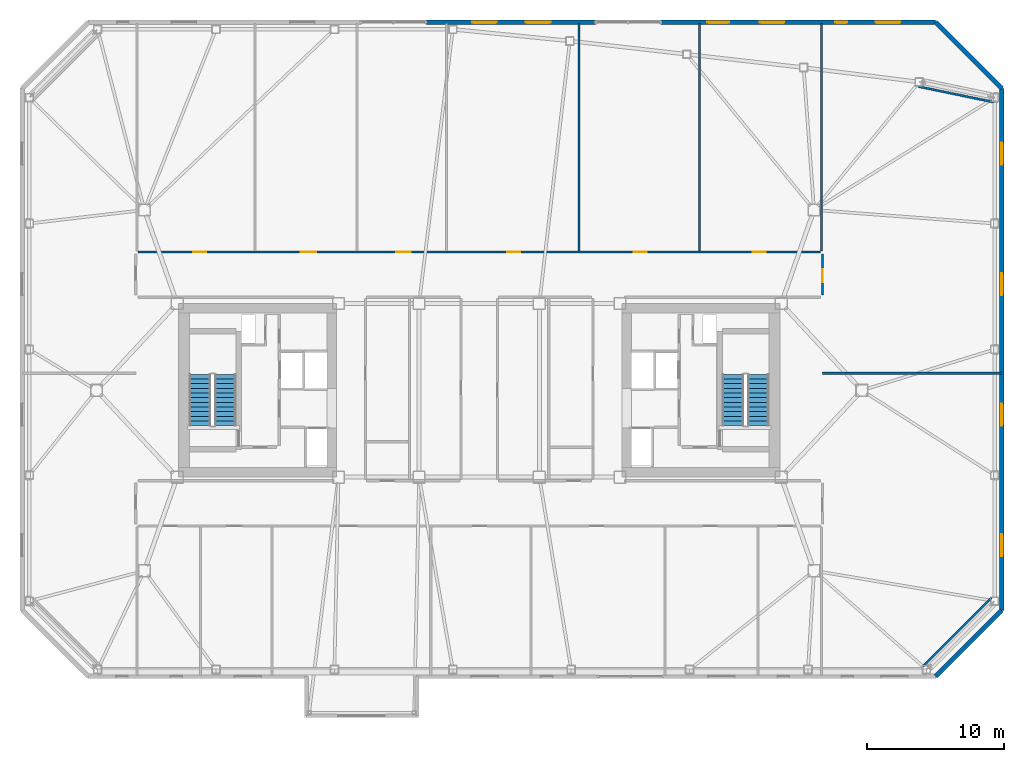
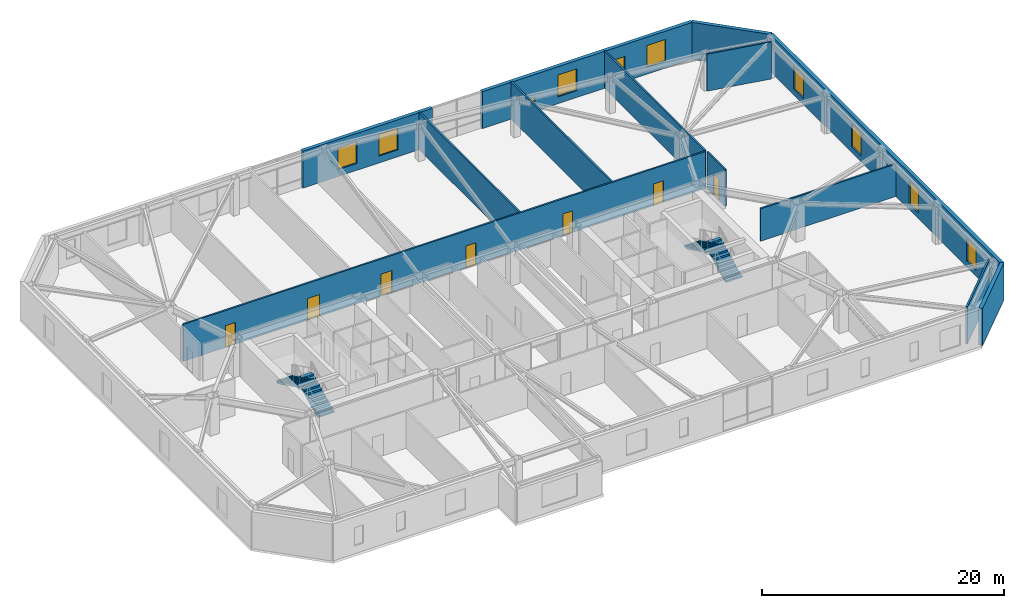
# One storey, part 12 of 16: 13 walls, 10 windows, 7 doors, 4 stair flights, 17 openings, 2 elements without a shape of their own.
"""IFC4 building model written with IfcOpenShell, lengths in metres."""

from ifc_helpers import new_model, si_unit, direction, frame, frame_2d, origin, place, context, subcontext, project, spatial, polyline, rectangle, outline, extrude, material, layer, layer_set, type_object, element, fill, aggregate, save


model = new_model("IFC4")

# Units and contexts
model_context = context("Model", 3, precision=1e-05, world=origin(), true_north=direction((0.0, 1.0)))
body_context = subcontext(model_context, "Body", "Model", "MODEL_VIEW")
ifc_project = project(units=[si_unit("LENGTHUNIT", "METRE"), si_unit("AREAUNIT", "SQUARE_METRE"), si_unit("VOLUMEUNIT", "CUBIC_METRE"), si_unit("PLANEANGLEUNIT", "RADIAN"), si_unit("MASSUNIT", "GRAM", prefix="KILO")], contexts=[model_context])

# Site, building, storey
site_placement = place(None, origin())
site = spatial("IfcSite", under=ifc_project, at=site_placement, CompositionType="ELEMENT")
building_placement = place(site_placement, origin())
building = spatial("IfcBuilding", under=site, at=building_placement, Name="Tavrogorsk Clinical Tower", CompositionType="ELEMENT")
storey_placement = place(building_placement, frame((0.0, 0.0, 164.199951171875)))
storey = spatial("IfcBuildingStorey", under=building, at=storey_placement, Name="L37", CompositionType="ELEMENT", Elevation=164.199951171875)

# Walls
ifc_material_1 = material(Name="Lightweight concrete blockwork B15", Category="masonry")
ifc_layer_1 = layer(ifc_material_1, 0.159912109375)
ifc_layer_set_1 = layer_set([ifc_layer_1], Name="Lightweight concrete blockwork B15")
wall_type_1 = type_object("IfcWallType", Name="PartitionWall_160", PredefinedType="PARTITIONING", material=ifc_layer_set_1)
wall_1_placement = place(storey_placement, frame((32.4794921875, -20.1796875, 0.0), z_axis=(0.0, 0.0, 1.0), x_axis=(0.707106781187, 0.707106781187, 0.0)))
element("IfcWall", 1, at=wall_1_placement, inside=storey, type_object=wall_type_1, Name="L37 Corner Exoskeleton Brace Furring Wall 1", PredefinedType="PARTITIONING", context=body_context, shape_type="SweptSolid", body=[
    extrude(rectangle(XDim=7.071044921875, YDim=0.159912109375, at=frame_2d((3.53564453125, 0.0))), origin(), (0.0, 0.0, 1.0), 3.739990234375),
])
wall_2_placement = place(storey_placement, frame((37.65087890625, 21.0869140625, 0.0), z_axis=(0.0, 0.0, 1.0), x_axis=(-0.979184618318, 0.202971631636, 0.0)))
element("IfcWall", 2, at=wall_2_placement, inside=storey, type_object=wall_type_1, Name="L37 Corner Exoskeleton Brace Furring Wall 2", PredefinedType="PARTITIONING", context=body_context, shape_type="SweptSolid", body=[
    extrude(rectangle(XDim=5.64599609375, YDim=0.159912109375, at=frame_2d((2.822998046875, 0.0))), origin(), (0.0, 0.0, 1.0), 3.739990234375),
])

# Wall, openings, doors
wall_3_placement = place(storey_placement, frame((-24.965087890625, 10.1298828125, 0.0), z_axis=(0.0, 0.0, 1.0), x_axis=(1.0, 0.0, 0.0)))
wall_3 = element("IfcWall", 3, at=wall_3_placement, inside=storey, type_object=wall_type_1, Name="L37 Corridor Partition 05", PredefinedType="PARTITIONING", context=body_context, shape_type="SweptSolid", body=[
    extrude(rectangle(XDim=49.93017578125, YDim=0.159912109375, at=frame_2d((24.965087890625, 0.0))), origin(), (0.0, 0.0, 1.0), 3.739990234375),
])
opening_1_placement = place(wall_3_placement, frame((4.044189453125, 0.0, 0.0)))
opening_1 = element("IfcOpeningElement", 4, at=opening_1_placement, cuts=wall_3, Name="Opening ID-02", PredefinedType="OPENING", context=body_context, shape_type="SweptSolid", body=[
    extrude(rectangle(XDim=0.949951171875, YDim=2.199951171875, at=frame_2d((0.47509765625, 1.10009765625))), frame((0.0, 0.08984375, 0.0), z_axis=(0.0, -1.0, 0.0), x_axis=(1.0, 0.0, 0.0)), (0.0, 0.0, 1.0), 0.179931640625),
])
opening_2_placement = place(wall_3_placement, frame((11.89990234375, 0.0, 0.0)))
opening_2 = element("IfcOpeningElement", 5, at=opening_2_placement, cuts=wall_3, Name="Opening ID-06", PredefinedType="OPENING", context=body_context, shape_type="SweptSolid", body=[
    extrude(rectangle(XDim=1.14990234375, YDim=2.199951171875, at=frame_2d((0.574951171875, 1.10009765625))), frame((0.0, 0.08984375, 0.0), z_axis=(0.0, -1.0, 0.0), x_axis=(1.0, 0.0, 0.0)), (0.0, 0.0, 1.0), 0.179931640625),
])
opening_3_placement = place(wall_3_placement, frame((18.89990234375, 0.0, 0.0)))
opening_3 = element("IfcOpeningElement", 6, at=opening_3_placement, cuts=wall_3, Name="Opening ID-04", PredefinedType="OPENING", context=body_context, shape_type="SweptSolid", body=[
    extrude(rectangle(XDim=1.050048828125, YDim=2.199951171875, at=frame_2d((0.52490234375, 1.10009765625))), frame((0.0, 0.08984375, 0.0), z_axis=(0.0, -1.0, 0.0), x_axis=(1.0, 0.0, 0.0)), (0.0, 0.0, 1.0), 0.179931640625),
])
opening_4_placement = place(wall_3_placement, frame((27.030029296875, 0.0, 0.0)))
opening_4 = element("IfcOpeningElement", 7, at=opening_4_placement, cuts=wall_3, Name="Opening ID-02", PredefinedType="OPENING", context=body_context, shape_type="SweptSolid", body=[
    extrude(rectangle(XDim=0.949951171875, YDim=2.199951171875, at=frame_2d((0.47509765625, 1.10009765625))), frame((0.0, 0.08984375, 0.0), z_axis=(0.0, -1.0, 0.0), x_axis=(1.0, 0.0, 0.0)), (0.0, 0.0, 1.0), 0.179931640625),
])
opening_5_placement = place(wall_3_placement, frame((36.2900390625, 0.0, 0.0)))
opening_5 = element("IfcOpeningElement", 8, at=opening_5_placement, cuts=wall_3, Name="Opening ID-02", PredefinedType="OPENING", context=body_context, shape_type="SweptSolid", body=[
    extrude(rectangle(XDim=0.949951171875, YDim=2.199951171875, at=frame_2d((0.47509765625, 1.10009765625))), frame((0.0, 0.08984375, 0.0), z_axis=(0.0, -1.0, 0.0), x_axis=(1.0, 0.0, 0.0)), (0.0, 0.0, 1.0), 0.179931640625),
])
opening_6_placement = place(wall_3_placement, frame((44.9658203125, 0.0, 0.0)))
opening_6 = element("IfcOpeningElement", 9, at=opening_6_placement, cuts=wall_3, Name="Opening ID-02", PredefinedType="OPENING", context=body_context, shape_type="SweptSolid", body=[
    extrude(rectangle(XDim=0.949951171875, YDim=2.199951171875, at=frame_2d((0.47509765625, 1.10009765625))), frame((0.0, 0.08984375, 0.0), z_axis=(0.0, -1.0, 0.0), x_axis=(1.0, 0.0, 0.0)), (0.0, 0.0, 1.0), 0.179931640625),
])
ifc_material_2 = material(Name="Antibacterial HPL consultation door on aluminium frame", Category="aluminium")
door_type_1 = type_object("IfcDoorType", Name="ConsultDoor_ID04_1050", OperationType="NOTDEFINED", PredefinedType="DOOR", material=ifc_material_2)
door_1_placement = place(opening_3_placement, origin())
door_1 = element("IfcDoor", 10, at=door_1_placement, inside=storey, type_object=door_type_1, Name="L37 North Dialysis Water Treatment Utility 02B Door", OperationType="SINGLE_SWING_LEFT", OverallHeight=2.199951171875, OverallWidth=1.050048828125, PredefinedType="DOOR", context=body_context, shape_type="SweptSolid", body=[
    extrude(rectangle(XDim=1.050048828125, YDim=2.199951171875, at=frame_2d((0.52490234375, 1.10009765625))), frame((0.0, 0.02490234375, 0.0), z_axis=(0.0, -1.0, 0.0), x_axis=(1.0, 0.0, 0.0)), (0.0, 0.0, 1.0), 0.050048828125),
])
fill(opening_3, door_1)
ifc_material_3 = material(Name="Laminated timber leaf on aluminium frame", Category="wood")
door_type_2 = type_object("IfcDoorType", Name="InteriorDoor_ID02_950", OperationType="NOTDEFINED", PredefinedType="DOOR", material=ifc_material_3)
door_2_placement = place(opening_1_placement, origin())
door_2 = element("IfcDoor", 11, at=door_2_placement, inside=storey, type_object=door_type_2, Name="L37 North Dialysis Water Treatment Utility 01 Door", OperationType="SINGLE_SWING_LEFT", OverallHeight=2.199951171875, OverallWidth=0.949951171875, PredefinedType="DOOR", context=body_context, shape_type="SweptSolid", body=[
    extrude(rectangle(XDim=0.949951171875, YDim=2.199951171875, at=frame_2d((0.47509765625, 1.10009765625))), frame((0.0, 0.02490234375, 0.0), z_axis=(0.0, -1.0, 0.0), x_axis=(1.0, 0.0, 0.0)), (0.0, 0.0, 1.0), 0.050048828125),
])
fill(opening_1, door_2)
door_3_placement = place(opening_4_placement, origin())
door_3 = element("IfcDoor", 12, at=door_3_placement, inside=storey, type_object=door_type_2, Name="L37 North Renal Patient Quiet Lounge 03A Door", OperationType="SINGLE_SWING_RIGHT", OverallHeight=2.199951171875, OverallWidth=0.949951171875, PredefinedType="DOOR", context=body_context, shape_type="SweptSolid", body=[
    extrude(rectangle(XDim=0.949951171875, YDim=2.199951171875, at=frame_2d((0.47509765625, 1.10009765625))), frame((0.0, 0.02490234375, 0.0), z_axis=(0.0, -1.0, 0.0), x_axis=(1.0, 0.0, 0.0)), (0.0, 0.0, 1.0), 0.050048828125),
])
fill(opening_4, door_3)
door_4_placement = place(opening_5_placement, origin())
door_4 = element("IfcDoor", 13, at=door_4_placement, inside=storey, type_object=door_type_2, Name="L37 North Outpatient Renal Dialysis Station 03B Door", OperationType="SINGLE_SWING_LEFT", OverallHeight=2.199951171875, OverallWidth=0.949951171875, PredefinedType="DOOR", context=body_context, shape_type="SweptSolid", body=[
    extrude(rectangle(XDim=0.949951171875, YDim=2.199951171875, at=frame_2d((0.47509765625, 1.10009765625))), frame((0.0, 0.02490234375, 0.0), z_axis=(0.0, -1.0, 0.0), x_axis=(1.0, 0.0, 0.0)), (0.0, 0.0, 1.0), 0.050048828125),
])
fill(opening_5, door_4)
door_5_placement = place(opening_6_placement, origin())
door_5 = element("IfcDoor", 14, at=door_5_placement, inside=storey, type_object=door_type_2, Name="L37 North Nephrology Consultation Office 04 Door", OperationType="SINGLE_SWING_RIGHT", OverallHeight=2.199951171875, OverallWidth=0.949951171875, PredefinedType="DOOR", context=body_context, shape_type="SweptSolid", body=[
    extrude(rectangle(XDim=0.949951171875, YDim=2.199951171875, at=frame_2d((0.47509765625, 1.10009765625))), frame((0.0, 0.02490234375, 0.0), z_axis=(0.0, -1.0, 0.0), x_axis=(1.0, 0.0, 0.0)), (0.0, 0.0, 1.0), 0.050048828125),
])
fill(opening_6, door_5)
ifc_material_4 = material(Name="Antibacterial HPL procedure door on aluminium frame", Category="aluminium")
door_type_3 = type_object("IfcDoorType", Name="LabDoor_ID06_1150", OperationType="NOTDEFINED", PredefinedType="DOOR", material=ifc_material_4)
door_6_placement = place(opening_2_placement, origin())
door_6 = element("IfcDoor", 15, at=door_6_placement, inside=storey, type_object=door_type_3, Name="L37 North Outpatient Renal Dialysis Station 02A Door", OperationType="SINGLE_SWING_RIGHT", OverallHeight=2.199951171875, OverallWidth=1.14990234375, PredefinedType="DOOR", context=body_context, shape_type="SweptSolid", body=[
    extrude(rectangle(XDim=1.14990234375, YDim=2.199951171875, at=frame_2d((0.574951171875, 1.10009765625))), frame((0.0, 0.02490234375, 0.0), z_axis=(0.0, -1.0, 0.0), x_axis=(1.0, 0.0, 0.0)), (0.0, 0.0, 1.0), 0.050048828125),
])
fill(opening_2, door_6)

# Wall, opening, door
wall_4_placement = place(storey_placement, frame((25.1298828125, 9.965087890625, 0.0), z_axis=(0.0, 0.0, 1.0), x_axis=(0.0, -1.0, 0.0)))
wall_4 = element("IfcWall", 16, at=wall_4_placement, inside=storey, type_object=wall_type_1, Name="L37 Corridor Partition 06", PredefinedType="PARTITIONING", context=body_context, shape_type="SweptSolid", body=[
    extrude(rectangle(XDim=2.97998046875, YDim=0.159912109375, at=frame_2d((1.489990234375, 0.0))), origin(), (0.0, 0.0, 1.0), 3.739990234375),
])
opening_7_placement = place(wall_4_placement, frame((1.10009765625, 0.0, 0.0)))
opening_7 = element("IfcOpeningElement", 17, at=opening_7_placement, cuts=wall_4, Name="Opening ID-02", PredefinedType="OPENING", context=body_context, shape_type="SweptSolid", body=[
    extrude(rectangle(XDim=0.949951171875, YDim=2.199951171875, at=frame_2d((0.47509765625, 1.10009765625))), frame((0.0, 0.08984375, 0.0), z_axis=(0.0, -1.0, 0.0), x_axis=(1.0, 0.0, 0.0)), (0.0, 0.0, 1.0), 0.179931640625),
])
door_7_placement = place(opening_7_placement, origin())
door_7 = element("IfcDoor", 18, at=door_7_placement, inside=storey, type_object=door_type_2, Name="L37 E Multidisciplinary Seminar Suite 2 Door", OperationType="SINGLE_SWING_LEFT", OverallHeight=2.199951171875, OverallWidth=0.949951171875, PredefinedType="DOOR", context=body_context, shape_type="SweptSolid", body=[
    extrude(rectangle(XDim=0.949951171875, YDim=2.199951171875, at=frame_2d((0.47509765625, 1.10009765625))), frame((0.0, 0.02490234375, 0.0), z_axis=(0.0, -1.0, 0.0), x_axis=(1.0, 0.0, 0.0)), (0.0, 0.0, 1.0), 0.050048828125),
])
fill(opening_7, door_7)

# Walls
for number, where, z_axis, x_axis, name in (
    (19, (25.050048828125, 10.215087890625, 0.0), (0.0, 0.0, 1.0), (0.0, 1.0, 0.0), "L37 NE Wing Closure Partition"),
    (20, (16.1201171875, 10.215087890625, 0.0), (0.0, 0.0, 1.0), (0.0, 1.0, 0.0), "L37 North Room Partition 3"),
    (21, (7.31005859375, 10.215087890625, 0.0), (0.0, 0.0, 1.0), (0.0, 1.0, 0.0), "L37 North Sub-Partition 3"),
):
    element("IfcWall", number, at=place(storey_placement, frame(where, z_axis=z_axis, x_axis=x_axis)), inside=storey, type_object=wall_type_1, Name=name, PredefinedType="PARTITIONING", context=body_context, shape_type="SweptSolid", body=[
        extrude(rectangle(XDim=16.64501953125, YDim=0.159912109375, at=frame_2d((8.322509765625, 0.0))), origin(), (0.0, 0.0, 1.0), 3.739990234375),
    ])
wall_5_placement = place(storey_placement, frame((25.1298828125, 1.25, 0.0), z_axis=(0.0, 0.0, 1.0), x_axis=(1.0, 0.0, 0.0)))
element("IfcWall", 22, at=wall_5_placement, inside=storey, type_object=wall_type_1, Name="L37 E Wing Divider 1", PredefinedType="PARTITIONING", context=body_context, shape_type="SweptSolid", body=[
    extrude(rectangle(XDim=13.080078125, YDim=0.159912109375, at=frame_2d((6.5400390625, 0.0))), origin(), (0.0, 0.0, 1.0), 3.28515625),
])

# Wall, openings, windows
ifc_material_5 = material(Name="Precast concrete B45 with limestone cladding", Category="masonry")
ifc_layer_2 = layer(ifc_material_5, 0.340087890625)
ifc_layer_set_2 = layer_set([ifc_layer_2], Name="Precast concrete B45 with limestone cladding")
wall_type_2 = type_object("IfcWallType", Name="PrecastLimestoneWall_340", PredefinedType="STANDARD", material=ifc_layer_set_2)
wall_6_placement = place(storey_placement, frame((33.39990234375, 26.929931640625, 0.0), z_axis=(0.0, 0.0, 1.0), x_axis=(-1.0, 0.0, 0.0)))
wall_6 = element("IfcWall", 23, at=wall_6_placement, inside=storey, type_object=wall_type_2, Name="L37 N Limestone Facade Wall 1", PredefinedType="STANDARD", context=body_context, shape_type="SweptSolid", body=[
    extrude(rectangle(XDim=20.08984375, YDim=0.340087890625, at=frame_2d((10.044921875, 0.0))), origin(), (0.0, 0.0, 1.0), 3.739990234375),
])
opening_8_placement = place(wall_6_placement, frame((15.10498046875, 0.0, 0.219970703125)))
opening_8 = element("IfcOpeningElement", 24, at=opening_8_placement, cuts=wall_6, Name="Opening WN-09", PredefinedType="OPENING", context=body_context, shape_type="SweptSolid", body=[
    extrude(rectangle(XDim=1.60009765625, YDim=1.199951171875, at=frame_2d((0.800048828125, 0.60009765625))), frame((0.0, 0.179931640625, 0.0), z_axis=(0.0, -1.0, 0.0), x_axis=(1.0, 0.0, 0.0)), (0.0, 0.0, 1.0), 0.360107421875),
])
opening_9_placement = place(wall_6_placement, frame((11.0712890625, 0.0, 0.699951171875)))
opening_9 = element("IfcOpeningElement", 25, at=opening_9_placement, cuts=wall_6, Name="Opening WN-04", PredefinedType="OPENING", context=body_context, shape_type="SweptSolid", body=[
    extrude(rectangle(XDim=1.800048828125, YDim=2.199951171875, at=frame_2d((0.89990234375, 1.10009765625))), frame((0.0, 0.179931640625, 0.0), z_axis=(0.0, -1.0, 0.0), x_axis=(1.0, 0.0, 0.0)), (0.0, 0.0, 1.0), 0.360107421875),
])
opening_10_placement = place(wall_6_placement, frame((6.479736328125, 0.0, 0.699951171875)))
opening_10 = element("IfcOpeningElement", 26, at=opening_10_placement, cuts=wall_6, Name="Opening WN-06", PredefinedType="OPENING", context=body_context, shape_type="SweptSolid", body=[
    extrude(rectangle(XDim=0.85009765625, YDim=1.85009765625, at=frame_2d((0.425048828125, 0.925048828125))), frame((0.0, 0.179931640625, 0.0), z_axis=(0.0, -1.0, 0.0), x_axis=(1.0, 0.0, 0.0)), (0.0, 0.0, 1.0), 0.360107421875),
])
opening_11_placement = place(wall_6_placement, frame((2.591064453125, 0.0, 0.699951171875)))
opening_11 = element("IfcOpeningElement", 27, at=opening_11_placement, cuts=wall_6, Name="Opening WN-04", PredefinedType="OPENING", context=body_context, shape_type="SweptSolid", body=[
    extrude(rectangle(XDim=1.800048828125, YDim=2.199951171875, at=frame_2d((0.89990234375, 1.10009765625))), frame((0.0, 0.179931640625, 0.0), z_axis=(0.0, -1.0, 0.0), x_axis=(1.0, 0.0, 0.0)), (0.0, 0.0, 1.0), 0.360107421875),
])
ifc_material_6 = material(Name="Thermally broken aluminium frame and triple IGU", Category="aluminium")
window_type_1 = type_object("IfcWindowType", Name="IsolationWin_1800x2200", PartitioningType="SINGLE_PANEL", PredefinedType="WINDOW", material=ifc_material_6)
window_1_placement = place(opening_9_placement, origin())
window_1 = element("IfcWindow", 28, at=window_1_placement, inside=storey, type_object=window_type_1, Name="L37 N Chicago Window 08", OverallHeight=2.199951171875, OverallWidth=1.800048828125, PartitioningType="SINGLE_PANEL", PredefinedType="WINDOW", context=body_context, shape_type="SweptSolid", body=[
    extrude(rectangle(XDim=1.800048828125, YDim=2.199951171875, at=frame_2d((0.89990234375, 1.10009765625))), frame((0.0, 0.030029296875, 0.0), z_axis=(0.0, -1.0, 0.0), x_axis=(1.0, 0.0, 0.0)), (0.0, 0.0, 1.0), 0.06005859375),
])
fill(opening_9, window_1)
window_2_placement = place(opening_11_placement, origin())
window_2 = element("IfcWindow", 29, at=window_2_placement, inside=storey, type_object=window_type_1, Name="L37 N Chicago Window 10", OverallHeight=2.199951171875, OverallWidth=1.800048828125, PartitioningType="SINGLE_PANEL", PredefinedType="WINDOW", context=body_context, shape_type="SweptSolid", body=[
    extrude(rectangle(XDim=1.800048828125, YDim=2.199951171875, at=frame_2d((0.89990234375, 1.10009765625))), frame((0.0, 0.030029296875, 0.0), z_axis=(0.0, -1.0, 0.0), x_axis=(1.0, 0.0, 0.0)), (0.0, 0.0, 1.0), 0.06005859375),
])
fill(opening_11, window_2)
ifc_material_7 = material(Name="Thermally broken aluminium frame and triple IGU", Category="aluminium")
window_type_2 = type_object("IfcWindowType", Name="LowHeadTransWin_1600x1200", PartitioningType="DOUBLE_PANEL_VERTICAL", PredefinedType="WINDOW", material=ifc_material_7)
window_3_placement = place(opening_8_placement, origin())
window_3 = element("IfcWindow", 30, at=window_3_placement, inside=storey, type_object=window_type_2, Name="L37 N Chicago Window 07", OverallHeight=1.199951171875, OverallWidth=1.60009765625, PartitioningType="SINGLE_PANEL", PredefinedType="WINDOW", context=body_context, shape_type="SweptSolid", body=[
    extrude(rectangle(XDim=1.60009765625, YDim=1.199951171875, at=frame_2d((0.800048828125, 0.60009765625))), frame((0.0, 0.030029296875, 0.0), z_axis=(0.0, -1.0, 0.0), x_axis=(1.0, 0.0, 0.0)), (0.0, 0.0, 1.0), 0.06005859375),
])
fill(opening_8, window_3)
ifc_material_8 = material(Name="Thermally broken aluminium frame and triple IGU", Category="aluminium")
window_type_3 = type_object("IfcWindowType", Name="MullionSubWin_850x1850", PartitioningType="SINGLE_PANEL", PredefinedType="WINDOW", material=ifc_material_8)
window_4_placement = place(opening_10_placement, origin())
window_4 = element("IfcWindow", 31, at=window_4_placement, inside=storey, type_object=window_type_3, Name="L37 N Mullion Split Window 09A", OverallHeight=1.85009765625, OverallWidth=0.85009765625, PartitioningType="SINGLE_PANEL", PredefinedType="WINDOW", context=body_context, shape_type="SweptSolid", body=[
    extrude(rectangle(XDim=0.85009765625, YDim=1.85009765625, at=frame_2d((0.425048828125, 0.925048828125))), frame((0.0, 0.030029296875, 0.0), z_axis=(0.0, -1.0, 0.0), x_axis=(1.0, 0.0, 0.0)), (0.0, 0.0, 1.0), 0.06005859375),
])
fill(opening_10, window_4)

wall_7_placement = place(storey_placement, frame((8.510009765625, 26.929931640625, 0.0), z_axis=(0.0, 0.0, 1.0), x_axis=(-1.0, 0.0, 0.0)))
wall_7 = element("IfcWall", 32, at=wall_7_placement, inside=storey, type_object=wall_type_2, Name="L37 N Limestone Facade Wall 2", PredefinedType="STANDARD", context=body_context, shape_type="SweptSolid", body=[
    extrude(rectangle(XDim=12.372802734375, YDim=0.340087890625, at=frame_2d((6.1865234375, 0.0))), origin(), (0.0, 0.0, 1.0), 3.739990234375),
])
opening_12_placement = place(wall_7_placement, frame((7.228759765625, 0.0, 0.699951171875)))
opening_12 = element("IfcOpeningElement", 33, at=opening_12_placement, cuts=wall_7, Name="Opening WN-04", PredefinedType="OPENING", context=body_context, shape_type="SweptSolid", body=[
    extrude(rectangle(XDim=1.800048828125, YDim=2.199951171875, at=frame_2d((0.89990234375, 1.10009765625))), frame((0.0, 0.179931640625, 0.0), z_axis=(0.0, -1.0, 0.0), x_axis=(1.0, 0.0, 0.0)), (0.0, 0.0, 1.0), 0.360107421875),
])
opening_13_placement = place(wall_7_placement, frame((3.28857421875, 0.0, 0.699951171875)))
opening_13 = element("IfcOpeningElement", 34, at=opening_13_placement, cuts=wall_7, Name="Opening WN-04", PredefinedType="OPENING", context=body_context, shape_type="SweptSolid", body=[
    extrude(rectangle(XDim=1.800048828125, YDim=2.199951171875, at=frame_2d((0.89990234375, 1.10009765625))), frame((0.0, 0.179931640625, 0.0), z_axis=(0.0, -1.0, 0.0), x_axis=(1.0, 0.0, 0.0)), (0.0, 0.0, 1.0), 0.360107421875),
])
window_5_placement = place(opening_12_placement, origin())
window_5 = element("IfcWindow", 35, at=window_5_placement, inside=storey, type_object=window_type_1, Name="L37 N Chicago Window 05", OverallHeight=2.199951171875, OverallWidth=1.800048828125, PartitioningType="SINGLE_PANEL", PredefinedType="WINDOW", context=body_context, shape_type="SweptSolid", body=[
    extrude(rectangle(XDim=1.800048828125, YDim=2.199951171875, at=frame_2d((0.89990234375, 1.10009765625))), frame((0.0, 0.030029296875, 0.0), z_axis=(0.0, -1.0, 0.0), x_axis=(1.0, 0.0, 0.0)), (0.0, 0.0, 1.0), 0.06005859375),
])
fill(opening_12, window_5)
window_6_placement = place(opening_13_placement, origin())
window_6 = element("IfcWindow", 36, at=window_6_placement, inside=storey, type_object=window_type_1, Name="L37 N Chicago Window 06", OverallHeight=2.199951171875, OverallWidth=1.800048828125, PartitioningType="SINGLE_PANEL", PredefinedType="WINDOW", context=body_context, shape_type="SweptSolid", body=[
    extrude(rectangle(XDim=1.800048828125, YDim=2.199951171875, at=frame_2d((0.89990234375, 1.10009765625))), frame((0.0, 0.030029296875, 0.0), z_axis=(0.0, -1.0, 0.0), x_axis=(1.0, 0.0, 0.0)), (0.0, 0.0, 1.0), 0.06005859375),
])
fill(opening_13, window_6)

wall_8_placement = place(storey_placement, frame((38.22998046875, -16.10009765625, 0.0), z_axis=(0.0, 0.0, 1.0), x_axis=(0.0, 1.0, 0.0)))
wall_8 = element("IfcWall", 37, at=wall_8_placement, inside=storey, type_object=wall_type_2, Name="L37 E Pleated Limestone Wing Wall", PredefinedType="STANDARD", context=body_context, shape_type="SweptSolid", body=[
    extrude(rectangle(XDim=38.2001953125, YDim=0.340087890625, at=frame_2d((19.10009765625, 0.0))), origin(), (0.0, 0.0, 1.0), 3.739990234375),
])
opening_14_placement = place(wall_8_placement, frame((3.97509765625, 0.0, 0.580078125)))
opening_14 = element("IfcOpeningElement", 38, at=opening_14_placement, cuts=wall_8, Name="Opening WN-07", PredefinedType="OPENING", context=body_context, shape_type="SweptSolid", body=[
    extrude(rectangle(XDim=1.60009765625, YDim=2.300048828125, at=frame_2d((0.800048828125, 1.14990234375))), frame((0.0, 0.179931640625, 0.0), z_axis=(0.0, -1.0, 0.0), x_axis=(1.0, 0.0, 0.0)), (0.0, 0.0, 1.0), 0.360107421875),
])
opening_15_placement = place(wall_8_placement, frame((13.52490234375, 0.0, 0.580078125)))
opening_15 = element("IfcOpeningElement", 39, at=opening_15_placement, cuts=wall_8, Name="Opening WN-07", PredefinedType="OPENING", context=body_context, shape_type="SweptSolid", body=[
    extrude(rectangle(XDim=1.60009765625, YDim=2.300048828125, at=frame_2d((0.800048828125, 1.14990234375))), frame((0.0, 0.179931640625, 0.0), z_axis=(0.0, -1.0, 0.0), x_axis=(1.0, 0.0, 0.0)), (0.0, 0.0, 1.0), 0.360107421875),
])
opening_16_placement = place(wall_8_placement, frame((23.074951171875, 0.0, 0.580078125)))
opening_16 = element("IfcOpeningElement", 40, at=opening_16_placement, cuts=wall_8, Name="Opening WN-07", PredefinedType="OPENING", context=body_context, shape_type="SweptSolid", body=[
    extrude(rectangle(XDim=1.60009765625, YDim=2.300048828125, at=frame_2d((0.800048828125, 1.14990234375))), frame((0.0, 0.179931640625, 0.0), z_axis=(0.0, -1.0, 0.0), x_axis=(1.0, 0.0, 0.0)), (0.0, 0.0, 1.0), 0.360107421875),
])
opening_17_placement = place(wall_8_placement, frame((32.625, 0.0, 0.580078125)))
opening_17 = element("IfcOpeningElement", 41, at=opening_17_placement, cuts=wall_8, Name="Opening WN-07", PredefinedType="OPENING", context=body_context, shape_type="SweptSolid", body=[
    extrude(rectangle(XDim=1.60009765625, YDim=2.300048828125, at=frame_2d((0.800048828125, 1.14990234375))), frame((0.0, 0.179931640625, 0.0), z_axis=(0.0, -1.0, 0.0), x_axis=(1.0, 0.0, 0.0)), (0.0, 0.0, 1.0), 0.360107421875),
])
ifc_material_9 = material(Name="Thermally broken aluminium frame and triple IGU", Category="aluminium")
window_type_4 = type_object("IfcWindowType", Name="PleatSlotWin_1600x2300", PartitioningType="SINGLE_PANEL", PredefinedType="WINDOW", material=ifc_material_9)
window_7_placement = place(opening_14_placement, origin())
window_7 = element("IfcWindow", 42, at=window_7_placement, inside=storey, type_object=window_type_4, Name="L37 E Pleat Slot Window 1", OverallHeight=2.300048828125, OverallWidth=1.60009765625, PartitioningType="SINGLE_PANEL", PredefinedType="WINDOW", context=body_context, shape_type="SweptSolid", body=[
    extrude(rectangle(XDim=1.60009765625, YDim=2.300048828125, at=frame_2d((0.800048828125, 1.14990234375))), frame((0.0, 0.030029296875, 0.0), z_axis=(0.0, -1.0, 0.0), x_axis=(1.0, 0.0, 0.0)), (0.0, 0.0, 1.0), 0.06005859375),
])
fill(opening_14, window_7)
window_8_placement = place(opening_15_placement, origin())
window_8 = element("IfcWindow", 43, at=window_8_placement, inside=storey, type_object=window_type_4, Name="L37 E Pleat Slot Window 2", OverallHeight=2.300048828125, OverallWidth=1.60009765625, PartitioningType="SINGLE_PANEL", PredefinedType="WINDOW", context=body_context, shape_type="SweptSolid", body=[
    extrude(rectangle(XDim=1.60009765625, YDim=2.300048828125, at=frame_2d((0.800048828125, 1.14990234375))), frame((0.0, 0.030029296875, 0.0), z_axis=(0.0, -1.0, 0.0), x_axis=(1.0, 0.0, 0.0)), (0.0, 0.0, 1.0), 0.06005859375),
])
fill(opening_15, window_8)
window_9_placement = place(opening_16_placement, origin())
window_9 = element("IfcWindow", 44, at=window_9_placement, inside=storey, type_object=window_type_4, Name="L37 E Pleat Slot Window 3", OverallHeight=2.300048828125, OverallWidth=1.60009765625, PartitioningType="SINGLE_PANEL", PredefinedType="WINDOW", context=body_context, shape_type="SweptSolid", body=[
    extrude(rectangle(XDim=1.60009765625, YDim=2.300048828125, at=frame_2d((0.800048828125, 1.14990234375))), frame((0.0, 0.030029296875, 0.0), z_axis=(0.0, -1.0, 0.0), x_axis=(1.0, 0.0, 0.0)), (0.0, 0.0, 1.0), 0.06005859375),
])
fill(opening_16, window_9)
window_10_placement = place(opening_17_placement, origin())
window_10 = element("IfcWindow", 45, at=window_10_placement, inside=storey, type_object=window_type_4, Name="L37 E Pleat Slot Window 4", OverallHeight=2.300048828125, OverallWidth=1.60009765625, PartitioningType="SINGLE_PANEL", PredefinedType="WINDOW", context=body_context, shape_type="SweptSolid", body=[
    extrude(rectangle(XDim=1.60009765625, YDim=2.300048828125, at=frame_2d((0.800048828125, 1.14990234375))), frame((0.0, 0.030029296875, 0.0), z_axis=(0.0, -1.0, 0.0), x_axis=(1.0, 0.0, 0.0)), (0.0, 0.0, 1.0), 0.06005859375),
])
fill(opening_17, window_10)

# Walls
for number, where, z_axis, x_axis, name in (
    (46, (33.39990234375, -20.929931640625, 0.0), (0.0, 0.0, 1.0), (0.707124652085, 0.707088909836, 0.0), "L37 Chamfered Corner Wall 1"),
    (47, (38.22998046875, 22.10009765625, 0.0), (0.0, 0.0, 1.0), (-0.707124652085, 0.707088909836, 0.0), "L37 Chamfered Corner Wall 2"),
):
    element("IfcWall", number, at=place(storey_placement, frame(where, z_axis=z_axis, x_axis=x_axis)), inside=storey, type_object=wall_type_2, Name=name, PredefinedType="STANDARD", context=body_context, shape_type="SweptSolid", body=[
        extrude(rectangle(XDim=6.83056640625, YDim=0.340087890625, at=frame_2d((3.415283203125, 0.0))), origin(), (0.0, 0.0, 1.0), 3.739990234375),
    ])

# Stair, stair flights
ifc_material_10 = material(Name="Concrete B60", Category="concrete")
stair_type = type_object("IfcStairType", Name="CoreStairAssembly", PredefinedType="HALF_TURN_STAIR", material=ifc_material_10)
stair_1_placement = place(storey_placement, origin())
stair_1 = element("IfcStair", 48, at=stair_1_placement, inside=storey, type_object=stair_type, Name="L37 ST-W", PredefinedType="HALF_TURN_STAIR")
ifc_material_11 = material(Name="Concrete B60", Category="concrete")
stair_flight_type = type_object("IfcStairFlightType", Name="CoreStairFlight", PredefinedType="STRAIGHT", material=ifc_material_11)
stair_flight_1_placement = place(storey_placement, frame((-18.574951171875, -2.574951171875, 0.0), z_axis=(0.0, 0.0, 1.0), x_axis=(0.0, 1.0, 0.0)))
stair_flight_1 = element("IfcStairFlight", 49, at=stair_flight_1_placement, type_object=stair_flight_type, Name="ST-W flight 1", NumberOfRisers=12, NumberOfTreads=11, PredefinedType="STRAIGHT", RiserHeight=0.166666667, TreadLength=0.34, context=body_context, shape_type="SweptSolid", body=[
    extrude(outline(polyline([(0.0, 0.0), (0.0, 0.166748046875), (0.340087890625, 0.166748046875), (0.340087890625, 0.333251953125), (0.679931640625, 0.333251953125), (0.679931640625, 0.5), (1.02001953125, 0.5), (1.02001953125, 0.666748046875), (1.360107421875, 0.666748046875), (1.360107421875, 0.833251953125), (1.699951171875, 0.833251953125), (1.699951171875, 1.0), (2.0400390625, 1.0), (2.0400390625, 1.166748046875), (2.3798828125, 1.166748046875), (2.3798828125, 1.333251953125), (2.719970703125, 1.333251953125), (2.719970703125, 1.5), (3.06005859375, 1.5), (3.06005859375, 1.666748046875), (3.39990234375, 1.666748046875), (3.39990234375, 1.833251953125), (3.739990234375, 1.833251953125), (3.739990234375, 2.0), (3.739990234375, 1.66650390625), (0.340576171875, 0.0), (0.0, 0.0)])), frame((0.0, 0.77490234375, 0.0), z_axis=(0.0, -1.0, 0.0), x_axis=(1.0, 0.0, 0.0)), (0.0, 0.0, 1.0), 1.550048828125),
])
stair_flight_2_placement = place(storey_placement, frame((-20.425048828125, 1.1650390625, 2.0), z_axis=(0.0, 0.0, 1.0), x_axis=(0.0, -1.0, 0.0)))
stair_flight_2 = element("IfcStairFlight", 50, at=stair_flight_2_placement, type_object=stair_flight_type, Name="ST-W flight 2", NumberOfRisers=12, NumberOfTreads=11, PredefinedType="STRAIGHT", RiserHeight=0.166666667, TreadLength=0.34, context=body_context, shape_type="SweptSolid", body=[
    extrude(outline(polyline([(0.0, 0.0), (0.0, 0.166748046875), (0.340087890625, 0.166748046875), (0.340087890625, 0.333251953125), (0.679931640625, 0.333251953125), (0.679931640625, 0.5), (1.02001953125, 0.5), (1.02001953125, 0.666748046875), (1.360107421875, 0.666748046875), (1.360107421875, 0.833251953125), (1.699951171875, 0.833251953125), (1.699951171875, 1.0), (2.0400390625, 1.0), (2.0400390625, 1.166748046875), (2.3798828125, 1.166748046875), (2.3798828125, 1.333251953125), (2.719970703125, 1.333251953125), (2.719970703125, 1.5), (3.06005859375, 1.5), (3.06005859375, 1.666748046875), (3.39990234375, 1.666748046875), (3.39990234375, 1.833251953125), (3.739990234375, 1.833251953125), (3.739990234375, 2.0), (3.739990234375, 1.66650390625), (0.340576171875, 0.0), (0.0, 0.0)])), frame((0.0, 0.77490234375, 0.0), z_axis=(0.0, -1.0, 0.0), x_axis=(1.0, 0.0, 0.0)), (0.0, 0.0, 1.0), 1.550048828125),
])
aggregate(stair_1, [stair_flight_1, stair_flight_2])

stair_2_placement = place(storey_placement, origin())
stair_2 = element("IfcStair", 51, at=stair_2_placement, inside=storey, type_object=stair_type, Name="L37 ST-E", PredefinedType="HALF_TURN_STAIR")
stair_flight_3_placement = place(storey_placement, frame((20.425048828125, -2.574951171875, 0.0), z_axis=(0.0, 0.0, 1.0), x_axis=(0.0, 1.0, 0.0)))
stair_flight_3 = element("IfcStairFlight", 52, at=stair_flight_3_placement, type_object=stair_flight_type, Name="ST-E flight 1", NumberOfRisers=12, NumberOfTreads=11, PredefinedType="STRAIGHT", RiserHeight=0.166666667, TreadLength=0.34, context=body_context, shape_type="SweptSolid", body=[
    extrude(outline(polyline([(0.0, 0.0), (0.0, 0.166748046875), (0.340087890625, 0.166748046875), (0.340087890625, 0.333251953125), (0.679931640625, 0.333251953125), (0.679931640625, 0.5), (1.02001953125, 0.5), (1.02001953125, 0.666748046875), (1.360107421875, 0.666748046875), (1.360107421875, 0.833251953125), (1.699951171875, 0.833251953125), (1.699951171875, 1.0), (2.0400390625, 1.0), (2.0400390625, 1.166748046875), (2.3798828125, 1.166748046875), (2.3798828125, 1.333251953125), (2.719970703125, 1.333251953125), (2.719970703125, 1.5), (3.06005859375, 1.5), (3.06005859375, 1.666748046875), (3.39990234375, 1.666748046875), (3.39990234375, 1.833251953125), (3.739990234375, 1.833251953125), (3.739990234375, 2.0), (3.739990234375, 1.66650390625), (0.340576171875, 0.0), (0.0, 0.0)])), frame((0.0, 0.77490234375, 0.0), z_axis=(0.0, -1.0, 0.0), x_axis=(1.0, 0.0, 0.0)), (0.0, 0.0, 1.0), 1.550048828125),
])
stair_flight_4_placement = place(storey_placement, frame((18.574951171875, 1.1650390625, 2.0), z_axis=(0.0, 0.0, 1.0), x_axis=(0.0, -1.0, 0.0)))
stair_flight_4 = element("IfcStairFlight", 53, at=stair_flight_4_placement, type_object=stair_flight_type, Name="ST-E flight 2", NumberOfRisers=12, NumberOfTreads=11, PredefinedType="STRAIGHT", RiserHeight=0.166666667, TreadLength=0.34, context=body_context, shape_type="SweptSolid", body=[
    extrude(outline(polyline([(0.0, 0.0), (0.0, 0.166748046875), (0.340087890625, 0.166748046875), (0.340087890625, 0.333251953125), (0.679931640625, 0.333251953125), (0.679931640625, 0.5), (1.02001953125, 0.5), (1.02001953125, 0.666748046875), (1.360107421875, 0.666748046875), (1.360107421875, 0.833251953125), (1.699951171875, 0.833251953125), (1.699951171875, 1.0), (2.0400390625, 1.0), (2.0400390625, 1.166748046875), (2.3798828125, 1.166748046875), (2.3798828125, 1.333251953125), (2.719970703125, 1.333251953125), (2.719970703125, 1.5), (3.06005859375, 1.5), (3.06005859375, 1.666748046875), (3.39990234375, 1.666748046875), (3.39990234375, 1.833251953125), (3.739990234375, 1.833251953125), (3.739990234375, 2.0), (3.739990234375, 1.66650390625), (0.340576171875, 0.0), (0.0, 0.0)])), frame((0.0, 0.77490234375, 0.0), z_axis=(0.0, -1.0, 0.0), x_axis=(1.0, 0.0, 0.0)), (0.0, 0.0, 1.0), 1.550048828125),
])
aggregate(stair_2, [stair_flight_3, stair_flight_4])

save(model, "model.ifc")
